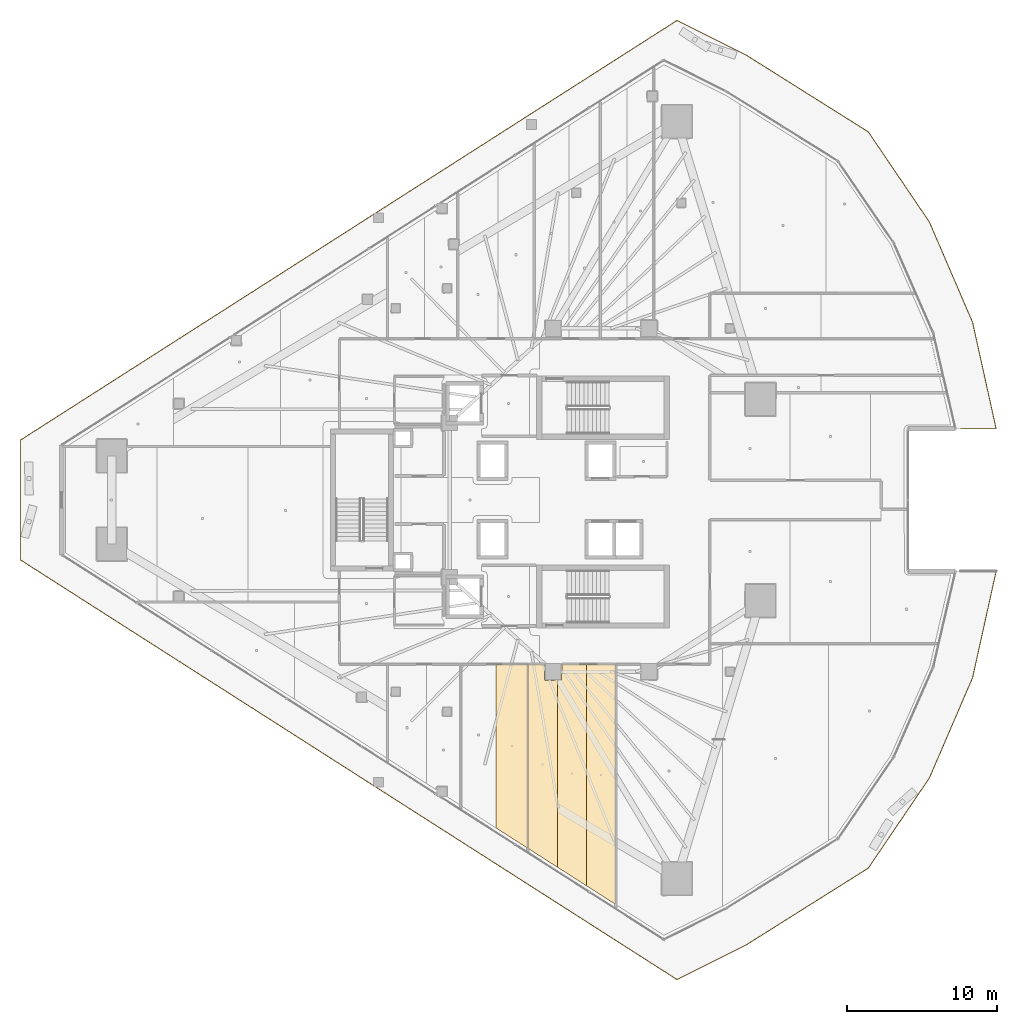
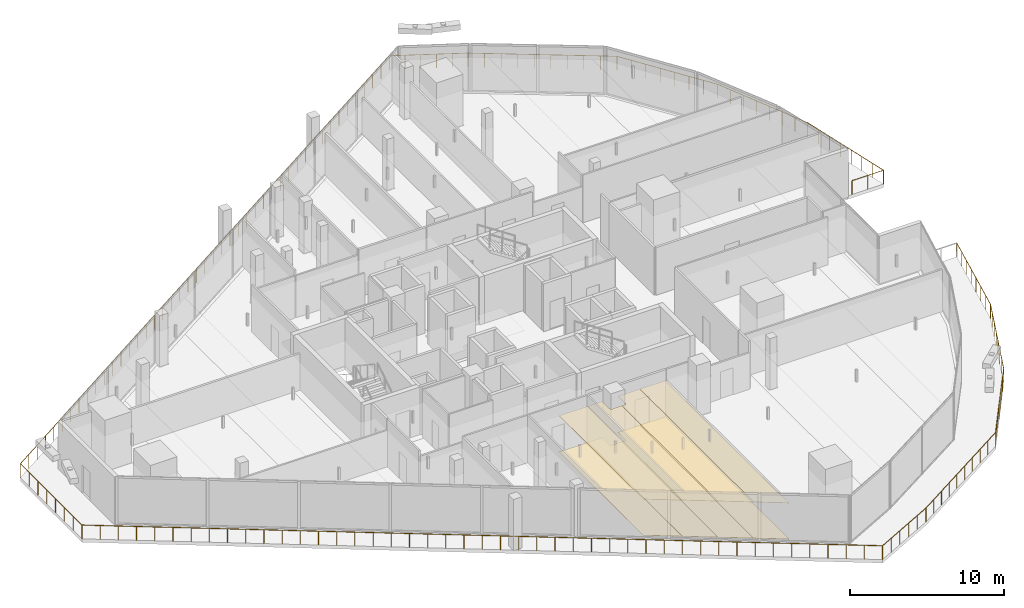
# One storey, part 35 of 39: 8 coverings, 1 railing.
"""IFC4 building model written with IfcOpenShell, lengths in metres."""

from ifc_helpers import new_model, si_unit, direction, frame, origin, origin_2d, place, context, subcontext, project, spatial, polyline, circle, outline, extrude, material, layer, layer_set, type_object, element, save


model = new_model("IFC4")

# Units and contexts
model_context = context("Model", 3, precision=1e-05, world=origin(), true_north=direction((0.0, 1.0)))
body_context = subcontext(model_context, "Body", "Model", "MODEL_VIEW")
ifc_project = project(units=[si_unit("LENGTHUNIT", "METRE"), si_unit("AREAUNIT", "SQUARE_METRE"), si_unit("VOLUMEUNIT", "CUBIC_METRE"), si_unit("PLANEANGLEUNIT", "RADIAN"), si_unit("MASSUNIT", "GRAM", prefix="KILO")], contexts=[model_context])

# Site, building, storey
site_placement = place(None, origin())
site = spatial("IfcSite", under=ifc_project, at=site_placement, CompositionType="ELEMENT")
building_placement = place(site_placement, origin())
building = spatial("IfcBuilding", under=site, at=building_placement, Name="Qorvath Tower", CompositionType="ELEMENT")
storey_placement = place(building_placement, frame((0.0, 0.0, 162.449951171875)))
storey = spatial("IfcBuildingStorey", under=building, at=storey_placement, Name="L37", CompositionType="ELEMENT", Elevation=162.449951171875)

# Coverings
ifc_material_1 = material(Name="Acoustic mineral fibre ceiling tile", Category="gypsum")
ifc_layer_1 = layer(ifc_material_1, 0.030029296875)
ifc_layer_set_1 = layer_set([ifc_layer_1], Name="COV-CEIL")
covering_type_1 = type_object("IfcCoveringType", Name="COV-CEIL", PredefinedType="CEILING", material=ifc_layer_set_1)
covering_1_placement = place(storey_placement, frame((0.0, 0.0, 2.85009765625)))
element("IfcCovering", 1, at=covering_1_placement, inside=storey, type_object=covering_type_1, Name="L37 Suspended Acoustic Ceiling 025", PredefinedType="CEILING", context=body_context, shape_type="SweptSolid", body=[
    extrude(outline(polyline([(-25.290771484375, -10.962890625), (-27.423583984375, -10.962890625), (-27.423583984375, -21.872802734375), (-25.290771484375, -23.23583984375), (-25.290771484375, -10.962890625)])), origin(), (0.0, 0.0, 1.0), 0.030029296875),
])
covering_2_placement = place(storey_placement, frame((0.0, 0.0, 2.85009765625)))
element("IfcCovering", 2, at=covering_2_placement, inside=storey, type_object=covering_type_1, Name="L37 Suspended Acoustic Ceiling 026", PredefinedType="CEILING", context=body_context, shape_type="SweptSolid", body=[
    extrude(outline(polyline([(-23.323974609375, -24.492919921875), (-23.323974609375, -12.022216796875), (-24.125, -12.034912109375), (-24.18505859375, -11.97509765625), (-24.18505859375, -10.962890625), (-25.27294921875, -10.962890625), (-25.27294921875, -23.247314453125), (-23.323974609375, -24.492919921875)])), origin(), (0.0, 0.0, 1.0), 0.030029296875),
])
covering_3_placement = place(storey_placement, frame((0.0, 0.0, 2.85009765625)))
element("IfcCovering", 3, at=covering_3_placement, inside=storey, type_object=covering_type_1, Name="L37 Suspended Acoustic Ceiling 027", PredefinedType="CEILING", context=body_context, shape_type="SweptSolid", body=[
    extrude(outline(polyline([(-21.375, -25.738525390625), (-21.375, -10.962890625), (-23.014892578125, -10.962890625), (-23.032470703125, -12.017333984375), (-23.323974609375, -12.022216796875), (-23.323974609375, -24.492919921875), (-21.375, -25.738525390625)])), origin(), (0.0, 0.0, 1.0), 0.030029296875),
])
covering_4_placement = place(storey_placement, frame((0.0, 0.0, 2.85009765625)))
element("IfcCovering", 4, at=covering_4_placement, inside=storey, type_object=covering_type_1, Name="L37 Suspended Acoustic Ceiling 028", PredefinedType="CEILING", context=body_context, shape_type="SweptSolid", body=[
    extrude(outline(polyline([(-19.42626953125, -26.984130859375), (-19.42626953125, -10.962890625), (-21.375, -10.962890625), (-21.375, -25.738525390625), (-19.42626953125, -26.984130859375)])), origin(), (0.0, 0.0, 1.0), 0.030029296875),
])
ifc_material_2 = material(Name="Low-VOC modular carpet tile", Category="textile")
ifc_layer_2 = layer(ifc_material_2, 0.014892578125)
ifc_layer_set_2 = layer_set([ifc_layer_2], Name="COV-FLOOR-CPT")
covering_type_2 = type_object("IfcCoveringType", Name="COV-FLOOR-CPT", PredefinedType="FLOORING", material=ifc_layer_set_2)
covering_5_placement = place(storey_placement, origin())
element("IfcCovering", 5, at=covering_5_placement, inside=storey, type_object=covering_type_2, Name="L37 Floor Finish 025", PredefinedType="FLOORING", context=body_context, shape_type="SweptSolid", body=[
    extrude(outline(polyline([(-25.290771484375, -10.962890625), (-27.423583984375, -10.962890625), (-27.423583984375, -21.872802734375), (-25.290771484375, -23.23583984375), (-25.290771484375, -10.962890625)])), origin(), (0.0, 0.0, 1.0), 0.01513671875),
])
covering_6_placement = place(storey_placement, origin())
element("IfcCovering", 6, at=covering_6_placement, inside=storey, type_object=covering_type_2, Name="L37 Floor Finish 026", PredefinedType="FLOORING", context=body_context, shape_type="SweptSolid", body=[
    extrude(outline(polyline([(-23.323974609375, -24.492919921875), (-23.323974609375, -12.022216796875), (-24.125, -12.034912109375), (-24.18505859375, -11.97509765625), (-24.18505859375, -10.962890625), (-25.27294921875, -10.962890625), (-25.27294921875, -23.247314453125), (-23.323974609375, -24.492919921875)])), origin(), (0.0, 0.0, 1.0), 0.01513671875),
])
covering_7_placement = place(storey_placement, origin())
element("IfcCovering", 7, at=covering_7_placement, inside=storey, type_object=covering_type_2, Name="L37 Floor Finish 027", PredefinedType="FLOORING", context=body_context, shape_type="SweptSolid", body=[
    extrude(outline(polyline([(-21.375, -25.738525390625), (-21.375, -10.962890625), (-23.014892578125, -10.962890625), (-23.032470703125, -12.017333984375), (-23.323974609375, -12.022216796875), (-23.323974609375, -24.492919921875), (-21.375, -25.738525390625)])), origin(), (0.0, 0.0, 1.0), 0.01513671875),
])
covering_8_placement = place(storey_placement, origin())
element("IfcCovering", 8, at=covering_8_placement, inside=storey, type_object=covering_type_2, Name="L37 Floor Finish 028", PredefinedType="FLOORING", context=body_context, shape_type="SweptSolid", body=[
    extrude(outline(polyline([(-19.42626953125, -26.984130859375), (-19.42626953125, -10.962890625), (-21.375, -10.962890625), (-21.375, -25.738525390625), (-19.42626953125, -26.984130859375)])), origin(), (0.0, 0.0, 1.0), 0.01513671875),
])

# Railing
ifc_material_3 = material(Name="Laminated safety glass and stainless steel AISI 316", Category="steel")
railing_type = type_object("IfcRailingType", Name="RL-EXT-GRD", PredefinedType="GUARDRAIL", material=ifc_material_3)
railing_placement = place(storey_placement, frame((5.962158203125, -4.751953125, 0.0)))
element("IfcRailing", 9, at=railing_placement, inside=storey, type_object=railing_type, Name="Loggia Perimeter Guardrail L37-1.1", PredefinedType="GUARDRAIL", context=body_context, shape_type="SweptSolid", body=[
    extrude(circle(Radius=0.02392578125, at=origin_2d()), frame((0.0, 0.0, 1.09619140625), z_axis=(-0.2160635918, -0.976379293256, 0.0), x_axis=(0.976379293256, -0.2160635918, 0.0)), (0.0, 0.0, 1.0), 7.27685546875),
    extrude(circle(Radius=0.02392578125, at=origin_2d()), frame((-1.572265625, -7.10498046875, 1.09619140625), z_axis=(-0.395489798179, -0.918470369439, 0.0), x_axis=(0.918470369439, -0.395489798179, 0.0)), (0.0, 0.0, 1.0), 7.27685546875),
    extrude(circle(Radius=0.02392578125, at=origin_2d()), frame((-4.4501953125, -13.78857421875, 1.09619140625), z_axis=(-0.560832566276, -0.827929243718, 0.0), x_axis=(0.827929243718, -0.560832566276, 0.0)), (0.0, 0.0, 1.0), 7.27685546875),
    extrude(circle(Radius=0.02392578125, at=origin_2d()), frame((-8.53125, -19.813232421875, 1.09619140625), z_axis=(-0.846498164653, -0.532391638964, 0.0), x_axis=(0.532391638964, -0.846498164653, 0.0)), (0.0, 0.0, 1.0), 9.6767578125),
    extrude(circle(Radius=0.02392578125, at=origin_2d()), frame((-16.72265625, -24.965087890625, 1.09619140625), z_axis=(-0.894427191, -0.4472135955, 0.0), x_axis=(0.4472135955, -0.894427191, 0.0)), (0.0, 0.0, 1.0), 5.111328125),
    extrude(circle(Radius=0.02392578125, at=origin_2d()), frame((-21.29443359375, -27.2509765625, 1.09619140625), z_axis=(-0.842606010013, 0.538530511568, 0.0), x_axis=(-0.538530511568, -0.842606010013, 0.0)), (0.0, 0.0, 1.0), 51.997802734375),
    extrude(circle(Radius=0.02392578125, at=origin_2d()), frame((-65.108154296875, 0.75146484375, 1.09619140625), z_axis=(0.0, 1.0, 0.0), x_axis=(-1.0, 0.0, 0.0)), (0.0, 0.0, 1.0), 8.0009765625),
    extrude(circle(Radius=0.02392578125, at=origin_2d()), frame((-65.108154296875, 8.75244140625, 1.09619140625), z_axis=(0.842606010013, 0.538530511568, 0.0), x_axis=(-0.538530511568, 0.842606010013, 0.0)), (0.0, 0.0, 1.0), 51.997802734375),
    extrude(circle(Radius=0.02392578125, at=origin_2d()), frame((-21.29443359375, 36.7548828125, 1.09619140625), z_axis=(0.894427191, -0.4472135955, 0.0), x_axis=(0.4472135955, 0.894427191, 0.0)), (0.0, 0.0, 1.0), 5.111328125),
    extrude(circle(Radius=0.02392578125, at=origin_2d()), frame((-16.72265625, 34.468994140625, 1.09619140625), z_axis=(0.846498164653, -0.532391638964, 0.0), x_axis=(0.532391638964, 0.846498164653, 0.0)), (0.0, 0.0, 1.0), 9.6767578125),
    extrude(circle(Radius=0.02392578125, at=origin_2d()), frame((-8.53125, 29.317138671875, 1.09619140625), z_axis=(0.560832566276, -0.827929243718, 0.0), x_axis=(0.827929243718, 0.560832566276, 0.0)), (0.0, 0.0, 1.0), 7.27685546875),
    extrude(circle(Radius=0.02392578125, at=origin_2d()), frame((-4.4501953125, 23.29248046875, 1.09619140625), z_axis=(0.395489798179, -0.918470369439, 0.0), x_axis=(0.918470369439, 0.395489798179, 0.0)), (0.0, 0.0, 1.0), 7.27685546875),
    extrude(circle(Radius=0.02392578125, at=origin_2d()), frame((-1.572265625, 16.60888671875, 1.09619140625), z_axis=(0.2160635918, -0.976379293256, 0.0), x_axis=(0.976379293256, 0.2160635918, 0.0)), (0.0, 0.0, 1.0), 7.27685546875),
    extrude(circle(Radius=0.02392578125, at=origin_2d()), frame((0.0, 9.50390625, 1.09619140625), z_axis=(-1.0, 0.0, 0.0), x_axis=(0.0, -1.0, 0.0)), (0.0, 0.0, 1.0), 2.366455078125),
    extrude(circle(Radius=0.02099609375, at=origin_2d()), origin(), (0.0, 0.0, 1.0), 1.072021484375),
    extrude(circle(Radius=0.02099609375, at=origin_2d()), frame((-0.224609375, -1.014892578125, 0.0)), (0.0, 0.0, 1.0), 1.072021484375),
    extrude(circle(Radius=0.02099609375, at=origin_2d()), frame((-0.44921875, -2.030029296875, 0.0)), (0.0, 0.0, 1.0), 1.072021484375),
    extrude(circle(Radius=0.02099609375, at=origin_2d()), frame((-0.673828125, -3.044921875, 0.0)), (0.0, 0.0, 1.0), 1.072021484375),
    extrude(circle(Radius=0.02099609375, at=origin_2d()), frame((-0.8984375, -4.06005859375, 0.0)), (0.0, 0.0, 1.0), 1.072021484375),
    extrude(circle(Radius=0.02099609375, at=origin_2d()), frame((-1.123046875, -5.074951171875, 0.0)), (0.0, 0.0, 1.0), 1.072021484375),
    extrude(circle(Radius=0.02099609375, at=origin_2d()), frame((-1.34765625, -6.090087890625, 0.0)), (0.0, 0.0, 1.0), 1.072021484375),
    extrude(circle(Radius=0.02099609375, at=origin_2d()), frame((-1.572265625, -7.10498046875, 0.0)), (0.0, 0.0, 1.0), 1.072021484375),
    extrude(circle(Radius=0.02099609375, at=origin_2d()), frame((-1.9833984375, -8.059814453125, 0.0)), (0.0, 0.0, 1.0), 1.072021484375),
    extrude(circle(Radius=0.02099609375, at=origin_2d()), frame((-2.39453125, -9.0146484375, 0.0)), (0.0, 0.0, 1.0), 1.072021484375),
    extrude(circle(Radius=0.02099609375, at=origin_2d()), frame((-2.8056640625, -9.969482421875, 0.0)), (0.0, 0.0, 1.0), 1.072021484375),
    extrude(circle(Radius=0.02099609375, at=origin_2d()), frame((-3.216796875, -10.924072265625, 0.0)), (0.0, 0.0, 1.0), 1.072021484375),
    extrude(circle(Radius=0.02099609375, at=origin_2d()), frame((-3.6279296875, -11.87890625, 0.0)), (0.0, 0.0, 1.0), 1.072021484375),
    extrude(circle(Radius=0.02099609375, at=origin_2d()), frame((-4.0390625, -12.833740234375, 0.0)), (0.0, 0.0, 1.0), 1.072021484375),
    extrude(circle(Radius=0.02099609375, at=origin_2d()), frame((-4.4501953125, -13.78857421875, 0.0)), (0.0, 0.0, 1.0), 1.072021484375),
    extrude(circle(Radius=0.02099609375, at=origin_2d()), frame((-5.033203125, -14.649169921875, 0.0)), (0.0, 0.0, 1.0), 1.072021484375),
    extrude(circle(Radius=0.02099609375, at=origin_2d()), frame((-5.6162109375, -15.510009765625, 0.0)), (0.0, 0.0, 1.0), 1.072021484375),
    extrude(circle(Radius=0.02099609375, at=origin_2d()), frame((-6.19921875, -16.37060546875, 0.0)), (0.0, 0.0, 1.0), 1.072021484375),
    extrude(circle(Radius=0.02099609375, at=origin_2d()), frame((-6.7822265625, -17.231201171875, 0.0)), (0.0, 0.0, 1.0), 1.072021484375),
    extrude(circle(Radius=0.02099609375, at=origin_2d()), frame((-7.365234375, -18.091796875, 0.0)), (0.0, 0.0, 1.0), 1.072021484375),
    extrude(circle(Radius=0.02099609375, at=origin_2d()), frame((-7.9482421875, -18.95263671875, 0.0)), (0.0, 0.0, 1.0), 1.072021484375),
    extrude(circle(Radius=0.02099609375, at=origin_2d()), frame((-8.53125, -19.813232421875, 0.0)), (0.0, 0.0, 1.0), 1.072021484375),
    extrude(circle(Radius=0.02099609375, at=origin_2d()), frame((-9.44140625, -20.3857421875, 0.0)), (0.0, 0.0, 1.0), 1.072021484375),
    extrude(circle(Radius=0.02099609375, at=origin_2d()), frame((-10.3515625, -20.9580078125, 0.0)), (0.0, 0.0, 1.0), 1.072021484375),
    extrude(circle(Radius=0.02099609375, at=origin_2d()), frame((-11.26171875, -21.530517578125, 0.0)), (0.0, 0.0, 1.0), 1.072021484375),
    extrude(circle(Radius=0.02099609375, at=origin_2d()), frame((-12.171875, -22.10302734375, 0.0)), (0.0, 0.0, 1.0), 1.072021484375),
    extrude(circle(Radius=0.02099609375, at=origin_2d()), frame((-13.08203125, -22.67529296875, 0.0)), (0.0, 0.0, 1.0), 1.072021484375),
    extrude(circle(Radius=0.02099609375, at=origin_2d()), frame((-13.9921875, -23.247802734375, 0.0)), (0.0, 0.0, 1.0), 1.072021484375),
    extrude(circle(Radius=0.02099609375, at=origin_2d()), frame((-14.90234375, -23.8203125, 0.0)), (0.0, 0.0, 1.0), 1.072021484375),
    extrude(circle(Radius=0.02099609375, at=origin_2d()), frame((-15.8125, -24.392578125, 0.0)), (0.0, 0.0, 1.0), 1.072021484375),
    extrude(circle(Radius=0.02099609375, at=origin_2d()), frame((-16.72265625, -24.965087890625, 0.0)), (0.0, 0.0, 1.0), 1.072021484375),
    extrude(circle(Radius=0.02099609375, at=origin_2d()), frame((-17.636962890625, -25.42236328125, 0.0)), (0.0, 0.0, 1.0), 1.072021484375),
    extrude(circle(Radius=0.02099609375, at=origin_2d()), frame((-18.55126953125, -25.87939453125, 0.0)), (0.0, 0.0, 1.0), 1.072021484375),
    extrude(circle(Radius=0.02099609375, at=origin_2d()), frame((-19.4658203125, -26.336669921875, 0.0)), (0.0, 0.0, 1.0), 1.072021484375),
    extrude(circle(Radius=0.02099609375, at=origin_2d()), frame((-20.380126953125, -26.793701171875, 0.0)), (0.0, 0.0, 1.0), 1.072021484375),
    extrude(circle(Radius=0.02099609375, at=origin_2d()), frame((-21.29443359375, -27.2509765625, 0.0)), (0.0, 0.0, 1.0), 1.072021484375),
    extrude(circle(Radius=0.02099609375, at=origin_2d()), frame((-22.290283203125, -26.614501953125, 0.0)), (0.0, 0.0, 1.0), 1.072021484375),
    extrude(circle(Radius=0.02099609375, at=origin_2d()), frame((-23.285888671875, -25.97802734375, 0.0)), (0.0, 0.0, 1.0), 1.072021484375),
    extrude(circle(Radius=0.02099609375, at=origin_2d()), frame((-24.28173828125, -25.341796875, 0.0)), (0.0, 0.0, 1.0), 1.072021484375),
    extrude(circle(Radius=0.02099609375, at=origin_2d()), frame((-25.277587890625, -24.705322265625, 0.0)), (0.0, 0.0, 1.0), 1.072021484375),
    extrude(circle(Radius=0.02099609375, at=origin_2d()), frame((-26.273193359375, -24.06884765625, 0.0)), (0.0, 0.0, 1.0), 1.072021484375),
    extrude(circle(Radius=0.02099609375, at=origin_2d()), frame((-27.26904296875, -23.432373046875, 0.0)), (0.0, 0.0, 1.0), 1.072021484375),
    extrude(circle(Radius=0.02099609375, at=origin_2d()), frame((-28.264892578125, -22.796142578125, 0.0)), (0.0, 0.0, 1.0), 1.072021484375),
    extrude(circle(Radius=0.02099609375, at=origin_2d()), frame((-29.260498046875, -22.15966796875, 0.0)), (0.0, 0.0, 1.0), 1.072021484375),
    extrude(circle(Radius=0.02099609375, at=origin_2d()), frame((-30.25634765625, -21.523193359375, 0.0)), (0.0, 0.0, 1.0), 1.072021484375),
    extrude(circle(Radius=0.02099609375, at=origin_2d()), frame((-31.252197265625, -20.88671875, 0.0)), (0.0, 0.0, 1.0), 1.072021484375),
    extrude(circle(Radius=0.02099609375, at=origin_2d()), frame((-32.247802734375, -20.25048828125, 0.0)), (0.0, 0.0, 1.0), 1.072021484375),
    extrude(circle(Radius=0.02099609375, at=origin_2d()), frame((-33.24365234375, -19.614013671875, 0.0)), (0.0, 0.0, 1.0), 1.072021484375),
    extrude(circle(Radius=0.02099609375, at=origin_2d()), frame((-34.239501953125, -18.9775390625, 0.0)), (0.0, 0.0, 1.0), 1.072021484375),
    extrude(circle(Radius=0.02099609375, at=origin_2d()), frame((-35.235107421875, -18.341064453125, 0.0)), (0.0, 0.0, 1.0), 1.072021484375),
    extrude(circle(Radius=0.02099609375, at=origin_2d()), frame((-36.23095703125, -17.70458984375, 0.0)), (0.0, 0.0, 1.0), 1.072021484375),
    extrude(circle(Radius=0.02099609375, at=origin_2d()), frame((-37.226806640625, -17.068359375, 0.0)), (0.0, 0.0, 1.0), 1.072021484375),
    extrude(circle(Radius=0.02099609375, at=origin_2d()), frame((-38.222412109375, -16.431884765625, 0.0)), (0.0, 0.0, 1.0), 1.072021484375),
    extrude(circle(Radius=0.02099609375, at=origin_2d()), frame((-39.21826171875, -15.79541015625, 0.0)), (0.0, 0.0, 1.0), 1.072021484375),
    extrude(circle(Radius=0.02099609375, at=origin_2d()), frame((-40.214111328125, -15.158935546875, 0.0)), (0.0, 0.0, 1.0), 1.072021484375),
    extrude(circle(Radius=0.02099609375, at=origin_2d()), frame((-41.209716796875, -14.522705078125, 0.0)), (0.0, 0.0, 1.0), 1.072021484375),
    extrude(circle(Radius=0.02099609375, at=origin_2d()), frame((-42.20556640625, -13.88623046875, 0.0)), (0.0, 0.0, 1.0), 1.072021484375),
    extrude(circle(Radius=0.02099609375, at=origin_2d()), frame((-43.201171875, -13.249755859375, 0.0)), (0.0, 0.0, 1.0), 1.072021484375),
    extrude(circle(Radius=0.02099609375, at=origin_2d()), frame((-44.197021484375, -12.61328125, 0.0)), (0.0, 0.0, 1.0), 1.072021484375),
    extrude(circle(Radius=0.02099609375, at=origin_2d()), frame((-45.19287109375, -11.976806640625, 0.0)), (0.0, 0.0, 1.0), 1.072021484375),
    extrude(circle(Radius=0.02099609375, at=origin_2d()), frame((-46.1884765625, -11.340576171875, 0.0)), (0.0, 0.0, 1.0), 1.072021484375),
    extrude(circle(Radius=0.02099609375, at=origin_2d()), frame((-47.184326171875, -10.7041015625, 0.0)), (0.0, 0.0, 1.0), 1.072021484375),
    extrude(circle(Radius=0.02099609375, at=origin_2d()), frame((-48.18017578125, -10.067626953125, 0.0)), (0.0, 0.0, 1.0), 1.072021484375),
    extrude(circle(Radius=0.02099609375, at=origin_2d()), frame((-49.17578125, -9.43115234375, 0.0)), (0.0, 0.0, 1.0), 1.072021484375),
    extrude(circle(Radius=0.02099609375, at=origin_2d()), frame((-50.171630859375, -8.794921875, 0.0)), (0.0, 0.0, 1.0), 1.072021484375),
    extrude(circle(Radius=0.02099609375, at=origin_2d()), frame((-51.16748046875, -8.158447265625, 0.0)), (0.0, 0.0, 1.0), 1.072021484375),
    extrude(circle(Radius=0.02099609375, at=origin_2d()), frame((-52.1630859375, -7.52197265625, 0.0)), (0.0, 0.0, 1.0), 1.072021484375),
    extrude(circle(Radius=0.02099609375, at=origin_2d()), frame((-53.158935546875, -6.885498046875, 0.0)), (0.0, 0.0, 1.0), 1.072021484375),
    extrude(circle(Radius=0.02099609375, at=origin_2d()), frame((-54.15478515625, -6.2490234375, 0.0)), (0.0, 0.0, 1.0), 1.072021484375),
    extrude(circle(Radius=0.02099609375, at=origin_2d()), frame((-55.150390625, -5.61279296875, 0.0)), (0.0, 0.0, 1.0), 1.072021484375),
    extrude(circle(Radius=0.02099609375, at=origin_2d()), frame((-56.146240234375, -4.976318359375, 0.0)), (0.0, 0.0, 1.0), 1.072021484375),
    extrude(circle(Radius=0.02099609375, at=origin_2d()), frame((-57.14208984375, -4.33984375, 0.0)), (0.0, 0.0, 1.0), 1.072021484375),
    extrude(circle(Radius=0.02099609375, at=origin_2d()), frame((-58.1376953125, -3.703369140625, 0.0)), (0.0, 0.0, 1.0), 1.072021484375),
    extrude(circle(Radius=0.02099609375, at=origin_2d()), frame((-59.133544921875, -3.067138671875, 0.0)), (0.0, 0.0, 1.0), 1.072021484375),
    extrude(circle(Radius=0.02099609375, at=origin_2d()), frame((-60.12939453125, -2.4306640625, 0.0)), (0.0, 0.0, 1.0), 1.072021484375),
    extrude(circle(Radius=0.02099609375, at=origin_2d()), frame((-61.125, -1.794189453125, 0.0)), (0.0, 0.0, 1.0), 1.072021484375),
    extrude(circle(Radius=0.02099609375, at=origin_2d()), frame((-62.120849609375, -1.15771484375, 0.0)), (0.0, 0.0, 1.0), 1.072021484375),
    extrude(circle(Radius=0.02099609375, at=origin_2d()), frame((-63.11669921875, -0.521484375, 0.0)), (0.0, 0.0, 1.0), 1.072021484375),
    extrude(circle(Radius=0.02099609375, at=origin_2d()), frame((-64.1123046875, 0.114990234375, 0.0)), (0.0, 0.0, 1.0), 1.072021484375),
    extrude(circle(Radius=0.02099609375, at=origin_2d()), frame((-65.108154296875, 0.75146484375, 0.0)), (0.0, 0.0, 1.0), 1.072021484375),
    extrude(circle(Radius=0.02099609375, at=origin_2d()), frame((-65.108154296875, 1.89453125, 0.0)), (0.0, 0.0, 1.0), 1.072021484375),
    extrude(circle(Radius=0.02099609375, at=origin_2d()), frame((-65.108154296875, 3.037353515625, 0.0)), (0.0, 0.0, 1.0), 1.072021484375),
    extrude(circle(Radius=0.02099609375, at=origin_2d()), frame((-65.108154296875, 4.180419921875, 0.0)), (0.0, 0.0, 1.0), 1.072021484375),
    extrude(circle(Radius=0.02099609375, at=origin_2d()), frame((-65.108154296875, 5.323486328125, 0.0)), (0.0, 0.0, 1.0), 1.072021484375),
    extrude(circle(Radius=0.02099609375, at=origin_2d()), frame((-65.108154296875, 6.466552734375, 0.0)), (0.0, 0.0, 1.0), 1.072021484375),
    extrude(circle(Radius=0.02099609375, at=origin_2d()), frame((-65.108154296875, 7.609375, 0.0)), (0.0, 0.0, 1.0), 1.072021484375),
    extrude(circle(Radius=0.02099609375, at=origin_2d()), frame((-65.108154296875, 8.75244140625, 0.0)), (0.0, 0.0, 1.0), 1.072021484375),
    extrude(circle(Radius=0.02099609375, at=origin_2d()), frame((-64.1123046875, 9.388916015625, 0.0)), (0.0, 0.0, 1.0), 1.072021484375),
    extrude(circle(Radius=0.02099609375, at=origin_2d()), frame((-63.11669921875, 10.025390625, 0.0)), (0.0, 0.0, 1.0), 1.072021484375),
    extrude(circle(Radius=0.02099609375, at=origin_2d()), frame((-62.120849609375, 10.66162109375, 0.0)), (0.0, 0.0, 1.0), 1.072021484375),
    extrude(circle(Radius=0.02099609375, at=origin_2d()), frame((-61.125, 11.298095703125, 0.0)), (0.0, 0.0, 1.0), 1.072021484375),
    extrude(circle(Radius=0.02099609375, at=origin_2d()), frame((-60.12939453125, 11.9345703125, 0.0)), (0.0, 0.0, 1.0), 1.072021484375),
    extrude(circle(Radius=0.02099609375, at=origin_2d()), frame((-59.133544921875, 12.571044921875, 0.0)), (0.0, 0.0, 1.0), 1.072021484375),
    extrude(circle(Radius=0.02099609375, at=origin_2d()), frame((-58.1376953125, 13.207275390625, 0.0)), (0.0, 0.0, 1.0), 1.072021484375),
    extrude(circle(Radius=0.02099609375, at=origin_2d()), frame((-57.14208984375, 13.84375, 0.0)), (0.0, 0.0, 1.0), 1.072021484375),
    extrude(circle(Radius=0.02099609375, at=origin_2d()), frame((-56.146240234375, 14.480224609375, 0.0)), (0.0, 0.0, 1.0), 1.072021484375),
    extrude(circle(Radius=0.02099609375, at=origin_2d()), frame((-55.150390625, 15.11669921875, 0.0)), (0.0, 0.0, 1.0), 1.072021484375),
    extrude(circle(Radius=0.02099609375, at=origin_2d()), frame((-54.15478515625, 15.7529296875, 0.0)), (0.0, 0.0, 1.0), 1.072021484375),
    extrude(circle(Radius=0.02099609375, at=origin_2d()), frame((-53.158935546875, 16.389404296875, 0.0)), (0.0, 0.0, 1.0), 1.072021484375),
    extrude(circle(Radius=0.02099609375, at=origin_2d()), frame((-52.1630859375, 17.02587890625, 0.0)), (0.0, 0.0, 1.0), 1.072021484375),
    extrude(circle(Radius=0.02099609375, at=origin_2d()), frame((-51.16748046875, 17.662353515625, 0.0)), (0.0, 0.0, 1.0), 1.072021484375),
    extrude(circle(Radius=0.02099609375, at=origin_2d()), frame((-50.171630859375, 18.298828125, 0.0)), (0.0, 0.0, 1.0), 1.072021484375),
    extrude(circle(Radius=0.02099609375, at=origin_2d()), frame((-49.17578125, 18.93505859375, 0.0)), (0.0, 0.0, 1.0), 1.072021484375),
    extrude(circle(Radius=0.02099609375, at=origin_2d()), frame((-48.18017578125, 19.571533203125, 0.0)), (0.0, 0.0, 1.0), 1.072021484375),
    extrude(circle(Radius=0.02099609375, at=origin_2d()), frame((-47.184326171875, 20.2080078125, 0.0)), (0.0, 0.0, 1.0), 1.072021484375),
    extrude(circle(Radius=0.02099609375, at=origin_2d()), frame((-46.1884765625, 20.844482421875, 0.0)), (0.0, 0.0, 1.0), 1.072021484375),
    extrude(circle(Radius=0.02099609375, at=origin_2d()), frame((-45.19287109375, 21.480712890625, 0.0)), (0.0, 0.0, 1.0), 1.072021484375),
    extrude(circle(Radius=0.02099609375, at=origin_2d()), frame((-44.197021484375, 22.1171875, 0.0)), (0.0, 0.0, 1.0), 1.072021484375),
    extrude(circle(Radius=0.02099609375, at=origin_2d()), frame((-43.201171875, 22.753662109375, 0.0)), (0.0, 0.0, 1.0), 1.072021484375),
    extrude(circle(Radius=0.02099609375, at=origin_2d()), frame((-42.20556640625, 23.39013671875, 0.0)), (0.0, 0.0, 1.0), 1.072021484375),
    extrude(circle(Radius=0.02099609375, at=origin_2d()), frame((-41.209716796875, 24.026611328125, 0.0)), (0.0, 0.0, 1.0), 1.072021484375),
    extrude(circle(Radius=0.02099609375, at=origin_2d()), frame((-40.214111328125, 24.662841796875, 0.0)), (0.0, 0.0, 1.0), 1.072021484375),
    extrude(circle(Radius=0.02099609375, at=origin_2d()), frame((-39.21826171875, 25.29931640625, 0.0)), (0.0, 0.0, 1.0), 1.072021484375),
    extrude(circle(Radius=0.02099609375, at=origin_2d()), frame((-38.222412109375, 25.935791015625, 0.0)), (0.0, 0.0, 1.0), 1.072021484375),
    extrude(circle(Radius=0.02099609375, at=origin_2d()), frame((-37.226806640625, 26.572265625, 0.0)), (0.0, 0.0, 1.0), 1.072021484375),
    extrude(circle(Radius=0.02099609375, at=origin_2d()), frame((-36.23095703125, 27.20849609375, 0.0)), (0.0, 0.0, 1.0), 1.072021484375),
    extrude(circle(Radius=0.02099609375, at=origin_2d()), frame((-35.235107421875, 27.844970703125, 0.0)), (0.0, 0.0, 1.0), 1.072021484375),
    extrude(circle(Radius=0.02099609375, at=origin_2d()), frame((-34.239501953125, 28.4814453125, 0.0)), (0.0, 0.0, 1.0), 1.072021484375),
    extrude(circle(Radius=0.02099609375, at=origin_2d()), frame((-33.24365234375, 29.117919921875, 0.0)), (0.0, 0.0, 1.0), 1.072021484375),
    extrude(circle(Radius=0.02099609375, at=origin_2d()), frame((-32.247802734375, 29.75439453125, 0.0)), (0.0, 0.0, 1.0), 1.072021484375),
    extrude(circle(Radius=0.02099609375, at=origin_2d()), frame((-31.252197265625, 30.390625, 0.0)), (0.0, 0.0, 1.0), 1.072021484375),
    extrude(circle(Radius=0.02099609375, at=origin_2d()), frame((-30.25634765625, 31.027099609375, 0.0)), (0.0, 0.0, 1.0), 1.072021484375),
    extrude(circle(Radius=0.02099609375, at=origin_2d()), frame((-29.260498046875, 31.66357421875, 0.0)), (0.0, 0.0, 1.0), 1.072021484375),
    extrude(circle(Radius=0.02099609375, at=origin_2d()), frame((-28.264892578125, 32.300048828125, 0.0)), (0.0, 0.0, 1.0), 1.072021484375),
    extrude(circle(Radius=0.02099609375, at=origin_2d()), frame((-27.26904296875, 32.936279296875, 0.0)), (0.0, 0.0, 1.0), 1.072021484375),
    extrude(circle(Radius=0.02099609375, at=origin_2d()), frame((-26.273193359375, 33.57275390625, 0.0)), (0.0, 0.0, 1.0), 1.072021484375),
    extrude(circle(Radius=0.02099609375, at=origin_2d()), frame((-25.277587890625, 34.209228515625, 0.0)), (0.0, 0.0, 1.0), 1.072021484375),
    extrude(circle(Radius=0.02099609375, at=origin_2d()), frame((-24.28173828125, 34.845703125, 0.0)), (0.0, 0.0, 1.0), 1.072021484375),
    extrude(circle(Radius=0.02099609375, at=origin_2d()), frame((-23.285888671875, 35.48193359375, 0.0)), (0.0, 0.0, 1.0), 1.072021484375),
    extrude(circle(Radius=0.02099609375, at=origin_2d()), frame((-22.290283203125, 36.118408203125, 0.0)), (0.0, 0.0, 1.0), 1.072021484375),
    extrude(circle(Radius=0.02099609375, at=origin_2d()), frame((-21.29443359375, 36.7548828125, 0.0)), (0.0, 0.0, 1.0), 1.072021484375),
    extrude(circle(Radius=0.02099609375, at=origin_2d()), frame((-20.380126953125, 36.297607421875, 0.0)), (0.0, 0.0, 1.0), 1.072021484375),
    extrude(circle(Radius=0.02099609375, at=origin_2d()), frame((-19.4658203125, 35.840576171875, 0.0)), (0.0, 0.0, 1.0), 1.072021484375),
    extrude(circle(Radius=0.02099609375, at=origin_2d()), frame((-18.55126953125, 35.38330078125, 0.0)), (0.0, 0.0, 1.0), 1.072021484375),
    extrude(circle(Radius=0.02099609375, at=origin_2d()), frame((-17.636962890625, 34.92626953125, 0.0)), (0.0, 0.0, 1.0), 1.072021484375),
    extrude(circle(Radius=0.02099609375, at=origin_2d()), frame((-16.72265625, 34.468994140625, 0.0)), (0.0, 0.0, 1.0), 1.072021484375),
    extrude(circle(Radius=0.02099609375, at=origin_2d()), frame((-15.8125, 33.896484375, 0.0)), (0.0, 0.0, 1.0), 1.072021484375),
    extrude(circle(Radius=0.02099609375, at=origin_2d()), frame((-14.90234375, 33.32421875, 0.0)), (0.0, 0.0, 1.0), 1.072021484375),
    extrude(circle(Radius=0.02099609375, at=origin_2d()), frame((-13.9921875, 32.751708984375, 0.0)), (0.0, 0.0, 1.0), 1.072021484375),
    extrude(circle(Radius=0.02099609375, at=origin_2d()), frame((-13.08203125, 32.17919921875, 0.0)), (0.0, 0.0, 1.0), 1.072021484375),
    extrude(circle(Radius=0.02099609375, at=origin_2d()), frame((-12.171875, 31.60693359375, 0.0)), (0.0, 0.0, 1.0), 1.072021484375),
    extrude(circle(Radius=0.02099609375, at=origin_2d()), frame((-11.26171875, 31.034423828125, 0.0)), (0.0, 0.0, 1.0), 1.072021484375),
    extrude(circle(Radius=0.02099609375, at=origin_2d()), frame((-10.3515625, 30.4619140625, 0.0)), (0.0, 0.0, 1.0), 1.072021484375),
    extrude(circle(Radius=0.02099609375, at=origin_2d()), frame((-9.44140625, 29.8896484375, 0.0)), (0.0, 0.0, 1.0), 1.072021484375),
    extrude(circle(Radius=0.02099609375, at=origin_2d()), frame((-8.53125, 29.317138671875, 0.0)), (0.0, 0.0, 1.0), 1.072021484375),
    extrude(circle(Radius=0.02099609375, at=origin_2d()), frame((-7.9482421875, 28.45654296875, 0.0)), (0.0, 0.0, 1.0), 1.072021484375),
    extrude(circle(Radius=0.02099609375, at=origin_2d()), frame((-7.365234375, 27.595703125, 0.0)), (0.0, 0.0, 1.0), 1.072021484375),
    extrude(circle(Radius=0.02099609375, at=origin_2d()), frame((-6.7822265625, 26.735107421875, 0.0)), (0.0, 0.0, 1.0), 1.072021484375),
    extrude(circle(Radius=0.02099609375, at=origin_2d()), frame((-6.19921875, 25.87451171875, 0.0)), (0.0, 0.0, 1.0), 1.072021484375),
    extrude(circle(Radius=0.02099609375, at=origin_2d()), frame((-5.6162109375, 25.013916015625, 0.0)), (0.0, 0.0, 1.0), 1.072021484375),
    extrude(circle(Radius=0.02099609375, at=origin_2d()), frame((-5.033203125, 24.153076171875, 0.0)), (0.0, 0.0, 1.0), 1.072021484375),
    extrude(circle(Radius=0.02099609375, at=origin_2d()), frame((-4.4501953125, 23.29248046875, 0.0)), (0.0, 0.0, 1.0), 1.072021484375),
    extrude(circle(Radius=0.02099609375, at=origin_2d()), frame((-4.0390625, 22.337646484375, 0.0)), (0.0, 0.0, 1.0), 1.072021484375),
    extrude(circle(Radius=0.02099609375, at=origin_2d()), frame((-3.6279296875, 21.3828125, 0.0)), (0.0, 0.0, 1.0), 1.072021484375),
    extrude(circle(Radius=0.02099609375, at=origin_2d()), frame((-3.216796875, 20.427978515625, 0.0)), (0.0, 0.0, 1.0), 1.072021484375),
    extrude(circle(Radius=0.02099609375, at=origin_2d()), frame((-2.8056640625, 19.473388671875, 0.0)), (0.0, 0.0, 1.0), 1.072021484375),
    extrude(circle(Radius=0.02099609375, at=origin_2d()), frame((-2.39453125, 18.5185546875, 0.0)), (0.0, 0.0, 1.0), 1.072021484375),
    extrude(circle(Radius=0.02099609375, at=origin_2d()), frame((-1.9833984375, 17.563720703125, 0.0)), (0.0, 0.0, 1.0), 1.072021484375),
    extrude(circle(Radius=0.02099609375, at=origin_2d()), frame((-1.572265625, 16.60888671875, 0.0)), (0.0, 0.0, 1.0), 1.072021484375),
    extrude(circle(Radius=0.02099609375, at=origin_2d()), frame((-1.34765625, 15.593994140625, 0.0)), (0.0, 0.0, 1.0), 1.072021484375),
    extrude(circle(Radius=0.02099609375, at=origin_2d()), frame((-1.123046875, 14.578857421875, 0.0)), (0.0, 0.0, 1.0), 1.072021484375),
    extrude(circle(Radius=0.02099609375, at=origin_2d()), frame((-0.8984375, 13.56396484375, 0.0)), (0.0, 0.0, 1.0), 1.072021484375),
    extrude(circle(Radius=0.02099609375, at=origin_2d()), frame((-0.673828125, 12.548828125, 0.0)), (0.0, 0.0, 1.0), 1.072021484375),
    extrude(circle(Radius=0.02099609375, at=origin_2d()), frame((-0.44921875, 11.533935546875, 0.0)), (0.0, 0.0, 1.0), 1.072021484375),
    extrude(circle(Radius=0.02099609375, at=origin_2d()), frame((-0.224609375, 10.518798828125, 0.0)), (0.0, 0.0, 1.0), 1.072021484375),
    extrude(circle(Radius=0.02099609375, at=origin_2d()), frame((0.0, 9.50390625, 0.0)), (0.0, 0.0, 1.0), 1.072021484375),
    extrude(circle(Radius=0.02099609375, at=origin_2d()), frame((-1.18310546875, 9.50390625, 0.0)), (0.0, 0.0, 1.0), 1.072021484375),
    extrude(circle(Radius=0.02099609375, at=origin_2d()), frame((-2.366455078125, 9.50390625, 0.0)), (0.0, 0.0, 1.0), 1.072021484375),
])

save(model, "model.ifc")
